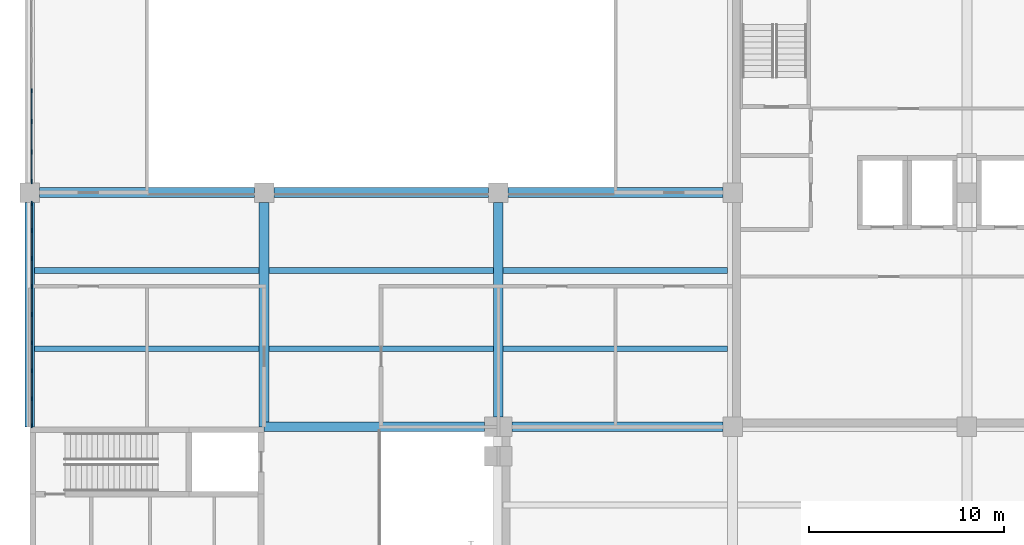
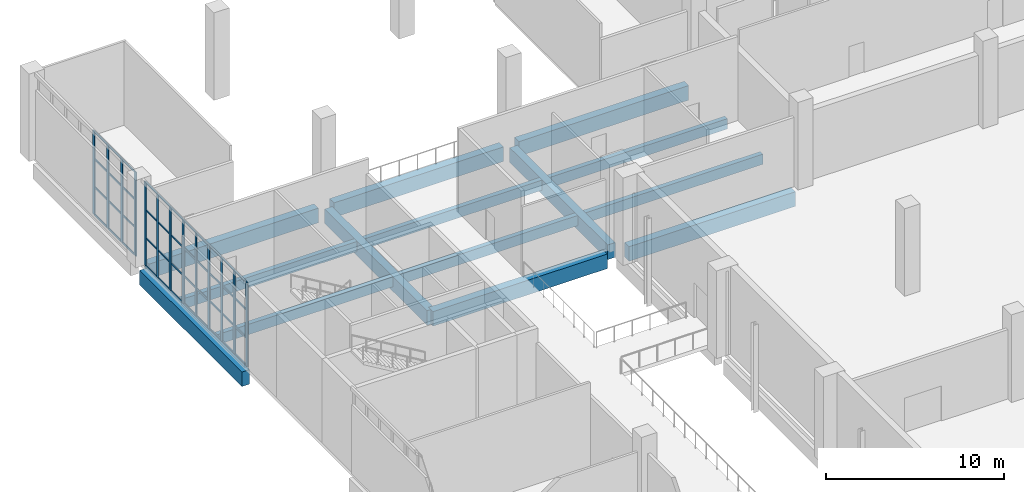
# One storey, part 35 of 72: 57 members, 14 beams, 2 elements without a shape of their own.
"""IFC4 building model written with IfcOpenShell, lengths in metres."""

from ifc_helpers import new_model, si_unit, direction, frame, origin, origin_2d, place, context, subcontext, project, spatial, rectangle, extrude, material, layer, layer_set, material_profile, profile_set, type_object, element, aggregate, save


model = new_model("IFC4")

# Units and contexts
model_context = context("Model", 3, precision=1e-05, world=origin(), true_north=direction((0.0, 1.0)))
body_context = subcontext(model_context, "Body", "Model", "MODEL_VIEW")
ifc_project = project(units=[si_unit("LENGTHUNIT", "METRE"), si_unit("AREAUNIT", "SQUARE_METRE"), si_unit("VOLUMEUNIT", "CUBIC_METRE"), si_unit("PLANEANGLEUNIT", "RADIAN"), si_unit("MASSUNIT", "GRAM", prefix="KILO")], contexts=[model_context])

# Site, building, storey
site_placement = place(None, origin())
site = spatial("IfcSite", under=ifc_project, at=site_placement, CompositionType="ELEMENT")
building_placement = place(site_placement, origin())
building = spatial("IfcBuilding", under=site, at=building_placement, Name="Lilac Gate Convention Centre", CompositionType="ELEMENT")
storey_placement = place(building_placement, frame((0.0, 0.0, 6.0)))
storey = spatial("IfcBuildingStorey", under=building, at=storey_placement, Name="L01", CompositionType="ELEMENT", Elevation=6.0)

# Curtain wall, members
ifc_material_1 = material(Name="Aluminium framed double glazing", Category="aluminium")
ifc_layer = layer(ifc_material_1, 0.199951171875)
ifc_layer_set = layer_set([ifc_layer], Name="Aluminium framed double glazing")
curtain_wall_type = type_object("IfcCurtainWallType", Name="Unitised curtain wall 1500", PredefinedType="NOTDEFINED", material=ifc_layer_set)
curtain_wall_1_placement = place(storey_placement, origin())
curtain_wall_1 = element("IfcCurtainWall", 1, at=curtain_wall_1_placement, inside=storey, type_object=curtain_wall_type, Name="Curtain wall GW L01 1", PredefinedType="NOTDEFINED")
ifc_material_2 = material(Name="Aluminium alloy 6063", Category="aluminium")
ifc_material_profile_1 = material_profile(ifc_material_2, rectangle(XDim=0.06005859375, YDim=0.219970703125, at=origin_2d()), Name="Curtain wall mullion 60 x 220")
ifc_profile_set_1 = profile_set([ifc_material_profile_1], Name="Aluminium alloy 6063")
member_type_1 = type_object("IfcMemberType", Name="Curtain wall mullion 60 x 220", PredefinedType="MULLION", material=ifc_profile_set_1)
member_1_placement = place(storey_placement, frame((6.10009765625, 239.21435546875, 0.0), z_axis=(0.0, 0.0, 1.0), x_axis=(1.0, 0.0, 0.0)))
member_1 = element("IfcMember", 2, at=member_1_placement, type_object=member_type_1, Name="CW mullion 5", PredefinedType="MULLION", context=body_context, shape_type="SweptSolid", body=[
    extrude(rectangle(XDim=0.06005859375, YDim=0.219970703125, at=origin_2d()), origin(), (0.0, 0.0, 1.0), 5.75),
])
member_2_placement = place(storey_placement, frame((6.10009765625, 237.642822265625, 0.0), z_axis=(0.0, 0.0, 1.0), x_axis=(1.0, 0.0, 0.0)))
member_2 = element("IfcMember", 3, at=member_2_placement, type_object=member_type_1, Name="CW mullion 6", PredefinedType="MULLION", context=body_context, shape_type="SweptSolid", body=[
    extrude(rectangle(XDim=0.06005859375, YDim=0.219970703125, at=origin_2d()), origin(), (0.0, 0.0, 1.0), 5.75),
])
member_3_placement = place(storey_placement, frame((6.10009765625, 236.071533203125, 0.0), z_axis=(0.0, 0.0, 1.0), x_axis=(1.0, 0.0, 0.0)))
member_3 = element("IfcMember", 4, at=member_3_placement, type_object=member_type_1, Name="CW mullion 7", PredefinedType="MULLION", context=body_context, shape_type="SweptSolid", body=[
    extrude(rectangle(XDim=0.06005859375, YDim=0.219970703125, at=origin_2d()), origin(), (0.0, 0.0, 1.0), 5.75),
])
member_4_placement = place(storey_placement, frame((6.10009765625, 234.56005859375, 0.0), z_axis=(0.0, 0.0, 1.0), x_axis=(1.0, 0.0, 0.0)))
member_4 = element("IfcMember", 5, at=member_4_placement, type_object=member_type_1, Name="CW mullion 8", PredefinedType="MULLION", context=body_context, shape_type="SweptSolid", body=[
    extrude(rectangle(XDim=0.06005859375, YDim=0.219970703125, at=origin_2d()), origin(), (0.0, 0.0, 1.0), 5.75),
])

curtain_wall_2_placement = place(storey_placement, origin())
curtain_wall_2 = element("IfcCurtainWall", 6, at=curtain_wall_2_placement, inside=storey, type_object=curtain_wall_type, Name="Curtain wall GW L01 2", PredefinedType="NOTDEFINED")
member_5_placement = place(storey_placement, frame((6.10009765625, 233.43994140625, 0.0), z_axis=(0.0, 0.0, 1.0), x_axis=(1.0, 0.0, 0.0)))
member_5 = element("IfcMember", 7, at=member_5_placement, type_object=member_type_1, Name="CW mullion 1", PredefinedType="MULLION", context=body_context, shape_type="SweptSolid", body=[
    extrude(rectangle(XDim=0.06005859375, YDim=0.219970703125, at=origin_2d()), origin(), (0.0, 0.0, 1.0), 5.75),
])
member_6_placement = place(storey_placement, frame((6.10009765625, 232.0625, 0.0), z_axis=(0.0, 0.0, 1.0), x_axis=(1.0, 0.0, 0.0)))
member_6 = element("IfcMember", 8, at=member_6_placement, type_object=member_type_1, Name="CW mullion 2", PredefinedType="MULLION", context=body_context, shape_type="SweptSolid", body=[
    extrude(rectangle(XDim=0.06005859375, YDim=0.219970703125, at=origin_2d()), origin(), (0.0, 0.0, 1.0), 5.75),
])
member_7_placement = place(storey_placement, frame((6.10009765625, 230.625, 0.0), z_axis=(0.0, 0.0, 1.0), x_axis=(1.0, 0.0, 0.0)))
member_7 = element("IfcMember", 9, at=member_7_placement, type_object=member_type_1, Name="CW mullion 3", PredefinedType="MULLION", context=body_context, shape_type="SweptSolid", body=[
    extrude(rectangle(XDim=0.06005859375, YDim=0.219970703125, at=origin_2d()), origin(), (0.0, 0.0, 1.0), 5.75),
])
member_8_placement = place(storey_placement, frame((6.10009765625, 229.1875, 0.0), z_axis=(0.0, 0.0, 1.0), x_axis=(1.0, 0.0, 0.0)))
member_8 = element("IfcMember", 10, at=member_8_placement, type_object=member_type_1, Name="CW mullion 4", PredefinedType="MULLION", context=body_context, shape_type="SweptSolid", body=[
    extrude(rectangle(XDim=0.06005859375, YDim=0.219970703125, at=origin_2d()), origin(), (0.0, 0.0, 1.0), 5.75),
])
member_9_placement = place(storey_placement, frame((6.10009765625, 227.75, 0.0), z_axis=(0.0, 0.0, 1.0), x_axis=(1.0, 0.0, 0.0)))
member_9 = element("IfcMember", 11, at=member_9_placement, type_object=member_type_1, Name="CW mullion 5", PredefinedType="MULLION", context=body_context, shape_type="SweptSolid", body=[
    extrude(rectangle(XDim=0.06005859375, YDim=0.219970703125, at=origin_2d()), origin(), (0.0, 0.0, 1.0), 5.75),
])
member_10_placement = place(storey_placement, frame((6.10009765625, 226.3125, 0.0), z_axis=(0.0, 0.0, 1.0), x_axis=(1.0, 0.0, 0.0)))
member_10 = element("IfcMember", 12, at=member_10_placement, type_object=member_type_1, Name="CW mullion 6", PredefinedType="MULLION", context=body_context, shape_type="SweptSolid", body=[
    extrude(rectangle(XDim=0.06005859375, YDim=0.219970703125, at=origin_2d()), origin(), (0.0, 0.0, 1.0), 5.75),
])
member_11_placement = place(storey_placement, frame((6.10009765625, 224.875, 0.0), z_axis=(0.0, 0.0, 1.0), x_axis=(1.0, 0.0, 0.0)))
member_11 = element("IfcMember", 13, at=member_11_placement, type_object=member_type_1, Name="CW mullion 7", PredefinedType="MULLION", context=body_context, shape_type="SweptSolid", body=[
    extrude(rectangle(XDim=0.06005859375, YDim=0.219970703125, at=origin_2d()), origin(), (0.0, 0.0, 1.0), 5.75),
])
member_12_placement = place(storey_placement, frame((6.10009765625, 223.4375, 0.0), z_axis=(0.0, 0.0, 1.0), x_axis=(1.0, 0.0, 0.0)))
member_12 = element("IfcMember", 14, at=member_12_placement, type_object=member_type_1, Name="CW mullion 8", PredefinedType="MULLION", context=body_context, shape_type="SweptSolid", body=[
    extrude(rectangle(XDim=0.06005859375, YDim=0.219970703125, at=origin_2d()), origin(), (0.0, 0.0, 1.0), 5.75),
])
member_13_placement = place(storey_placement, frame((6.10009765625, 222.06005859375, 0.0), z_axis=(0.0, 0.0, 1.0), x_axis=(1.0, 0.0, 0.0)))
member_13 = element("IfcMember", 15, at=member_13_placement, type_object=member_type_1, Name="CW mullion 9", PredefinedType="MULLION", context=body_context, shape_type="SweptSolid", body=[
    extrude(rectangle(XDim=0.06005859375, YDim=0.219970703125, at=origin_2d()), origin(), (0.0, 0.0, 1.0), 5.75),
])

# Member
ifc_material_profile_2 = material_profile(ifc_material_2, rectangle(XDim=0.06005859375, YDim=0.1201171875, at=origin_2d()), Name="Curtain wall transom 60 x 120")
ifc_profile_set_2 = profile_set([ifc_material_profile_2], Name="Aluminium alloy 6063")
member_type_2 = type_object("IfcMemberType", Name="Curtain wall transom 60 x 120", PredefinedType="USERDEFINED", material=ifc_profile_set_2)
member_14_placement = place(storey_placement, frame((6.10009765625, 239.184326171875, 0.030029296875), z_axis=(0.0, -1.0, 0.0), x_axis=(1.0, 0.0, 0.0)))
member_14 = element("IfcMember", 16, at=member_14_placement, type_object=member_type_2, Name="CW transom 5.1", ObjectType="TRANSOM", PredefinedType="USERDEFINED", context=body_context, shape_type="SweptSolid", body=[
    extrude(rectangle(XDim=0.06005859375, YDim=0.1201171875, at=origin_2d()), origin(), (0.0, 0.0, 1.0), 1.511474609375),
])

member_15_placement = place(storey_placement, frame((6.10009765625, 239.184326171875, 1.916748046875), z_axis=(0.0, -1.0, 0.0), x_axis=(1.0, 0.0, 0.0)))
member_15 = element("IfcMember", 17, at=member_15_placement, type_object=member_type_2, Name="CW transom 5.2", ObjectType="TRANSOM", PredefinedType="USERDEFINED", context=body_context, shape_type="SweptSolid", body=[
    extrude(rectangle(XDim=0.06005859375, YDim=0.1201171875, at=origin_2d()), origin(), (0.0, 0.0, 1.0), 1.511474609375),
])

member_16_placement = place(storey_placement, frame((6.10009765625, 239.184326171875, 3.833251953125), z_axis=(0.0, -1.0, 0.0), x_axis=(1.0, 0.0, 0.0)))
member_16 = element("IfcMember", 18, at=member_16_placement, type_object=member_type_2, Name="CW transom 5.3", ObjectType="TRANSOM", PredefinedType="USERDEFINED", context=body_context, shape_type="SweptSolid", body=[
    extrude(rectangle(XDim=0.06005859375, YDim=0.1201171875, at=origin_2d()), origin(), (0.0, 0.0, 1.0), 1.511474609375),
])

member_17_placement = place(storey_placement, frame((6.10009765625, 239.184326171875, 5.719970703125), z_axis=(0.0, -1.0, 0.0), x_axis=(1.0, 0.0, 0.0)))
member_17 = element("IfcMember", 19, at=member_17_placement, type_object=member_type_2, Name="CW transom 5.4", ObjectType="TRANSOM", PredefinedType="USERDEFINED", context=body_context, shape_type="SweptSolid", body=[
    extrude(rectangle(XDim=0.06005859375, YDim=0.1201171875, at=origin_2d()), origin(), (0.0, 0.0, 1.0), 1.511474609375),
])

member_18_placement = place(storey_placement, frame((6.10009765625, 237.61279296875, 0.030029296875), z_axis=(0.0, -1.0, 0.0), x_axis=(1.0, 0.0, 0.0)))
member_18 = element("IfcMember", 20, at=member_18_placement, type_object=member_type_2, Name="CW transom 6.1", ObjectType="TRANSOM", PredefinedType="USERDEFINED", context=body_context, shape_type="SweptSolid", body=[
    extrude(rectangle(XDim=0.06005859375, YDim=0.1201171875, at=origin_2d()), origin(), (0.0, 0.0, 1.0), 1.511474609375),
])

member_19_placement = place(storey_placement, frame((6.10009765625, 237.61279296875, 1.916748046875), z_axis=(0.0, -1.0, 0.0), x_axis=(1.0, 0.0, 0.0)))
member_19 = element("IfcMember", 21, at=member_19_placement, type_object=member_type_2, Name="CW transom 6.2", ObjectType="TRANSOM", PredefinedType="USERDEFINED", context=body_context, shape_type="SweptSolid", body=[
    extrude(rectangle(XDim=0.06005859375, YDim=0.1201171875, at=origin_2d()), origin(), (0.0, 0.0, 1.0), 1.511474609375),
])

member_20_placement = place(storey_placement, frame((6.10009765625, 237.61279296875, 3.833251953125), z_axis=(0.0, -1.0, 0.0), x_axis=(1.0, 0.0, 0.0)))
member_20 = element("IfcMember", 22, at=member_20_placement, type_object=member_type_2, Name="CW transom 6.3", ObjectType="TRANSOM", PredefinedType="USERDEFINED", context=body_context, shape_type="SweptSolid", body=[
    extrude(rectangle(XDim=0.06005859375, YDim=0.1201171875, at=origin_2d()), origin(), (0.0, 0.0, 1.0), 1.511474609375),
])

member_21_placement = place(storey_placement, frame((6.10009765625, 237.61279296875, 5.719970703125), z_axis=(0.0, -1.0, 0.0), x_axis=(1.0, 0.0, 0.0)))
member_21 = element("IfcMember", 23, at=member_21_placement, type_object=member_type_2, Name="CW transom 6.4", ObjectType="TRANSOM", PredefinedType="USERDEFINED", context=body_context, shape_type="SweptSolid", body=[
    extrude(rectangle(XDim=0.06005859375, YDim=0.1201171875, at=origin_2d()), origin(), (0.0, 0.0, 1.0), 1.511474609375),
])

member_22_placement = place(storey_placement, frame((6.10009765625, 236.04150390625, 0.030029296875), z_axis=(0.0, -1.0, 0.0), x_axis=(1.0, 0.0, 0.0)))
member_22 = element("IfcMember", 24, at=member_22_placement, type_object=member_type_2, Name="CW transom 7.1", ObjectType="TRANSOM", PredefinedType="USERDEFINED", context=body_context, shape_type="SweptSolid", body=[
    extrude(rectangle(XDim=0.06005859375, YDim=0.1201171875, at=origin_2d()), origin(), (0.0, 0.0, 1.0), 1.4814453125),
])

member_23_placement = place(storey_placement, frame((6.10009765625, 236.04150390625, 1.916748046875), z_axis=(0.0, -1.0, 0.0), x_axis=(1.0, 0.0, 0.0)))
member_23 = element("IfcMember", 25, at=member_23_placement, type_object=member_type_2, Name="CW transom 7.2", ObjectType="TRANSOM", PredefinedType="USERDEFINED", context=body_context, shape_type="SweptSolid", body=[
    extrude(rectangle(XDim=0.06005859375, YDim=0.1201171875, at=origin_2d()), origin(), (0.0, 0.0, 1.0), 1.4814453125),
])

member_24_placement = place(storey_placement, frame((6.10009765625, 236.04150390625, 3.833251953125), z_axis=(0.0, -1.0, 0.0), x_axis=(1.0, 0.0, 0.0)))
member_24 = element("IfcMember", 26, at=member_24_placement, type_object=member_type_2, Name="CW transom 7.3", ObjectType="TRANSOM", PredefinedType="USERDEFINED", context=body_context, shape_type="SweptSolid", body=[
    extrude(rectangle(XDim=0.06005859375, YDim=0.1201171875, at=origin_2d()), origin(), (0.0, 0.0, 1.0), 1.4814453125),
])

member_25_placement = place(storey_placement, frame((6.10009765625, 236.04150390625, 5.719970703125), z_axis=(0.0, -1.0, 0.0), x_axis=(1.0, 0.0, 0.0)))
member_25 = element("IfcMember", 27, at=member_25_placement, type_object=member_type_2, Name="CW transom 7.4", ObjectType="TRANSOM", PredefinedType="USERDEFINED", context=body_context, shape_type="SweptSolid", body=[
    extrude(rectangle(XDim=0.06005859375, YDim=0.1201171875, at=origin_2d()), origin(), (0.0, 0.0, 1.0), 1.4814453125),
])

aggregate(curtain_wall_1, [member_1, member_2, member_3, member_4, member_14, member_15, member_16, member_17, member_18, member_19, member_20, member_21, member_22, member_23, member_24, member_25])

member_26_placement = place(storey_placement, frame((6.10009765625, 233.43994140625, 0.030029296875), z_axis=(0.0, -1.0, 0.0), x_axis=(1.0, 0.0, 0.0)))
member_26 = element("IfcMember", 28, at=member_26_placement, type_object=member_type_2, Name="CW transom 1.1", ObjectType="TRANSOM", PredefinedType="USERDEFINED", context=body_context, shape_type="SweptSolid", body=[
    extrude(rectangle(XDim=0.06005859375, YDim=0.1201171875, at=origin_2d()), origin(), (0.0, 0.0, 1.0), 1.347412109375),
])

member_27_placement = place(storey_placement, frame((6.10009765625, 233.43994140625, 1.916748046875), z_axis=(0.0, -1.0, 0.0), x_axis=(1.0, 0.0, 0.0)))
member_27 = element("IfcMember", 29, at=member_27_placement, type_object=member_type_2, Name="CW transom 1.2", ObjectType="TRANSOM", PredefinedType="USERDEFINED", context=body_context, shape_type="SweptSolid", body=[
    extrude(rectangle(XDim=0.06005859375, YDim=0.1201171875, at=origin_2d()), origin(), (0.0, 0.0, 1.0), 1.347412109375),
])

member_28_placement = place(storey_placement, frame((6.10009765625, 233.43994140625, 3.833251953125), z_axis=(0.0, -1.0, 0.0), x_axis=(1.0, 0.0, 0.0)))
member_28 = element("IfcMember", 30, at=member_28_placement, type_object=member_type_2, Name="CW transom 1.3", ObjectType="TRANSOM", PredefinedType="USERDEFINED", context=body_context, shape_type="SweptSolid", body=[
    extrude(rectangle(XDim=0.06005859375, YDim=0.1201171875, at=origin_2d()), origin(), (0.0, 0.0, 1.0), 1.347412109375),
])

member_29_placement = place(storey_placement, frame((6.10009765625, 233.43994140625, 5.719970703125), z_axis=(0.0, -1.0, 0.0), x_axis=(1.0, 0.0, 0.0)))
member_29 = element("IfcMember", 31, at=member_29_placement, type_object=member_type_2, Name="CW transom 1.4", ObjectType="TRANSOM", PredefinedType="USERDEFINED", context=body_context, shape_type="SweptSolid", body=[
    extrude(rectangle(XDim=0.06005859375, YDim=0.1201171875, at=origin_2d()), origin(), (0.0, 0.0, 1.0), 1.347412109375),
])

member_30_placement = place(storey_placement, frame((6.10009765625, 232.032470703125, 0.030029296875), z_axis=(0.0, -1.0, 0.0), x_axis=(1.0, 0.0, 0.0)))
member_30 = element("IfcMember", 32, at=member_30_placement, type_object=member_type_2, Name="CW transom 2.1", ObjectType="TRANSOM", PredefinedType="USERDEFINED", context=body_context, shape_type="SweptSolid", body=[
    extrude(rectangle(XDim=0.06005859375, YDim=0.1201171875, at=origin_2d()), origin(), (0.0, 0.0, 1.0), 1.37744140625),
])

member_31_placement = place(storey_placement, frame((6.10009765625, 232.032470703125, 1.916748046875), z_axis=(0.0, -1.0, 0.0), x_axis=(1.0, 0.0, 0.0)))
member_31 = element("IfcMember", 33, at=member_31_placement, type_object=member_type_2, Name="CW transom 2.2", ObjectType="TRANSOM", PredefinedType="USERDEFINED", context=body_context, shape_type="SweptSolid", body=[
    extrude(rectangle(XDim=0.06005859375, YDim=0.1201171875, at=origin_2d()), origin(), (0.0, 0.0, 1.0), 1.37744140625),
])

member_32_placement = place(storey_placement, frame((6.10009765625, 232.032470703125, 3.833251953125), z_axis=(0.0, -1.0, 0.0), x_axis=(1.0, 0.0, 0.0)))
member_32 = element("IfcMember", 34, at=member_32_placement, type_object=member_type_2, Name="CW transom 2.3", ObjectType="TRANSOM", PredefinedType="USERDEFINED", context=body_context, shape_type="SweptSolid", body=[
    extrude(rectangle(XDim=0.06005859375, YDim=0.1201171875, at=origin_2d()), origin(), (0.0, 0.0, 1.0), 1.37744140625),
])

member_33_placement = place(storey_placement, frame((6.10009765625, 232.032470703125, 5.719970703125), z_axis=(0.0, -1.0, 0.0), x_axis=(1.0, 0.0, 0.0)))
member_33 = element("IfcMember", 35, at=member_33_placement, type_object=member_type_2, Name="CW transom 2.4", ObjectType="TRANSOM", PredefinedType="USERDEFINED", context=body_context, shape_type="SweptSolid", body=[
    extrude(rectangle(XDim=0.06005859375, YDim=0.1201171875, at=origin_2d()), origin(), (0.0, 0.0, 1.0), 1.37744140625),
])

member_34_placement = place(storey_placement, frame((6.10009765625, 230.594970703125, 0.030029296875), z_axis=(0.0, -1.0, 0.0), x_axis=(1.0, 0.0, 0.0)))
member_34 = element("IfcMember", 36, at=member_34_placement, type_object=member_type_2, Name="CW transom 3.1", ObjectType="TRANSOM", PredefinedType="USERDEFINED", context=body_context, shape_type="SweptSolid", body=[
    extrude(rectangle(XDim=0.06005859375, YDim=0.1201171875, at=origin_2d()), origin(), (0.0, 0.0, 1.0), 1.37744140625),
])

member_35_placement = place(storey_placement, frame((6.10009765625, 230.594970703125, 1.916748046875), z_axis=(0.0, -1.0, 0.0), x_axis=(1.0, 0.0, 0.0)))
member_35 = element("IfcMember", 37, at=member_35_placement, type_object=member_type_2, Name="CW transom 3.2", ObjectType="TRANSOM", PredefinedType="USERDEFINED", context=body_context, shape_type="SweptSolid", body=[
    extrude(rectangle(XDim=0.06005859375, YDim=0.1201171875, at=origin_2d()), origin(), (0.0, 0.0, 1.0), 1.37744140625),
])

member_36_placement = place(storey_placement, frame((6.10009765625, 230.594970703125, 3.833251953125), z_axis=(0.0, -1.0, 0.0), x_axis=(1.0, 0.0, 0.0)))
member_36 = element("IfcMember", 38, at=member_36_placement, type_object=member_type_2, Name="CW transom 3.3", ObjectType="TRANSOM", PredefinedType="USERDEFINED", context=body_context, shape_type="SweptSolid", body=[
    extrude(rectangle(XDim=0.06005859375, YDim=0.1201171875, at=origin_2d()), origin(), (0.0, 0.0, 1.0), 1.37744140625),
])

member_37_placement = place(storey_placement, frame((6.10009765625, 230.594970703125, 5.719970703125), z_axis=(0.0, -1.0, 0.0), x_axis=(1.0, 0.0, 0.0)))
member_37 = element("IfcMember", 39, at=member_37_placement, type_object=member_type_2, Name="CW transom 3.4", ObjectType="TRANSOM", PredefinedType="USERDEFINED", context=body_context, shape_type="SweptSolid", body=[
    extrude(rectangle(XDim=0.06005859375, YDim=0.1201171875, at=origin_2d()), origin(), (0.0, 0.0, 1.0), 1.37744140625),
])

member_38_placement = place(storey_placement, frame((6.10009765625, 229.157470703125, 0.030029296875), z_axis=(0.0, -1.0, 0.0), x_axis=(1.0, 0.0, 0.0)))
member_38 = element("IfcMember", 40, at=member_38_placement, type_object=member_type_2, Name="CW transom 4.1", ObjectType="TRANSOM", PredefinedType="USERDEFINED", context=body_context, shape_type="SweptSolid", body=[
    extrude(rectangle(XDim=0.06005859375, YDim=0.1201171875, at=origin_2d()), origin(), (0.0, 0.0, 1.0), 1.37744140625),
])

member_39_placement = place(storey_placement, frame((6.10009765625, 229.157470703125, 1.916748046875), z_axis=(0.0, -1.0, 0.0), x_axis=(1.0, 0.0, 0.0)))
member_39 = element("IfcMember", 41, at=member_39_placement, type_object=member_type_2, Name="CW transom 4.2", ObjectType="TRANSOM", PredefinedType="USERDEFINED", context=body_context, shape_type="SweptSolid", body=[
    extrude(rectangle(XDim=0.06005859375, YDim=0.1201171875, at=origin_2d()), origin(), (0.0, 0.0, 1.0), 1.37744140625),
])

member_40_placement = place(storey_placement, frame((6.10009765625, 229.157470703125, 3.833251953125), z_axis=(0.0, -1.0, 0.0), x_axis=(1.0, 0.0, 0.0)))
member_40 = element("IfcMember", 42, at=member_40_placement, type_object=member_type_2, Name="CW transom 4.3", ObjectType="TRANSOM", PredefinedType="USERDEFINED", context=body_context, shape_type="SweptSolid", body=[
    extrude(rectangle(XDim=0.06005859375, YDim=0.1201171875, at=origin_2d()), origin(), (0.0, 0.0, 1.0), 1.37744140625),
])

member_41_placement = place(storey_placement, frame((6.10009765625, 229.157470703125, 5.719970703125), z_axis=(0.0, -1.0, 0.0), x_axis=(1.0, 0.0, 0.0)))
member_41 = element("IfcMember", 43, at=member_41_placement, type_object=member_type_2, Name="CW transom 4.4", ObjectType="TRANSOM", PredefinedType="USERDEFINED", context=body_context, shape_type="SweptSolid", body=[
    extrude(rectangle(XDim=0.06005859375, YDim=0.1201171875, at=origin_2d()), origin(), (0.0, 0.0, 1.0), 1.37744140625),
])

member_42_placement = place(storey_placement, frame((6.10009765625, 227.719970703125, 0.030029296875), z_axis=(0.0, -1.0, 0.0), x_axis=(1.0, 0.0, 0.0)))
member_42 = element("IfcMember", 44, at=member_42_placement, type_object=member_type_2, Name="CW transom 5.1", ObjectType="TRANSOM", PredefinedType="USERDEFINED", context=body_context, shape_type="SweptSolid", body=[
    extrude(rectangle(XDim=0.06005859375, YDim=0.1201171875, at=origin_2d()), origin(), (0.0, 0.0, 1.0), 1.37744140625),
])

member_43_placement = place(storey_placement, frame((6.10009765625, 227.719970703125, 1.916748046875), z_axis=(0.0, -1.0, 0.0), x_axis=(1.0, 0.0, 0.0)))
member_43 = element("IfcMember", 45, at=member_43_placement, type_object=member_type_2, Name="CW transom 5.2", ObjectType="TRANSOM", PredefinedType="USERDEFINED", context=body_context, shape_type="SweptSolid", body=[
    extrude(rectangle(XDim=0.06005859375, YDim=0.1201171875, at=origin_2d()), origin(), (0.0, 0.0, 1.0), 1.37744140625),
])

member_44_placement = place(storey_placement, frame((6.10009765625, 227.719970703125, 3.833251953125), z_axis=(0.0, -1.0, 0.0), x_axis=(1.0, 0.0, 0.0)))
member_44 = element("IfcMember", 46, at=member_44_placement, type_object=member_type_2, Name="CW transom 5.3", ObjectType="TRANSOM", PredefinedType="USERDEFINED", context=body_context, shape_type="SweptSolid", body=[
    extrude(rectangle(XDim=0.06005859375, YDim=0.1201171875, at=origin_2d()), origin(), (0.0, 0.0, 1.0), 1.37744140625),
])

member_45_placement = place(storey_placement, frame((6.10009765625, 227.719970703125, 5.719970703125), z_axis=(0.0, -1.0, 0.0), x_axis=(1.0, 0.0, 0.0)))
member_45 = element("IfcMember", 47, at=member_45_placement, type_object=member_type_2, Name="CW transom 5.4", ObjectType="TRANSOM", PredefinedType="USERDEFINED", context=body_context, shape_type="SweptSolid", body=[
    extrude(rectangle(XDim=0.06005859375, YDim=0.1201171875, at=origin_2d()), origin(), (0.0, 0.0, 1.0), 1.37744140625),
])

member_46_placement = place(storey_placement, frame((6.10009765625, 226.282470703125, 0.030029296875), z_axis=(0.0, -1.0, 0.0), x_axis=(1.0, 0.0, 0.0)))
member_46 = element("IfcMember", 48, at=member_46_placement, type_object=member_type_2, Name="CW transom 6.1", ObjectType="TRANSOM", PredefinedType="USERDEFINED", context=body_context, shape_type="SweptSolid", body=[
    extrude(rectangle(XDim=0.06005859375, YDim=0.1201171875, at=origin_2d()), origin(), (0.0, 0.0, 1.0), 1.37744140625),
])

member_47_placement = place(storey_placement, frame((6.10009765625, 226.282470703125, 1.916748046875), z_axis=(0.0, -1.0, 0.0), x_axis=(1.0, 0.0, 0.0)))
member_47 = element("IfcMember", 49, at=member_47_placement, type_object=member_type_2, Name="CW transom 6.2", ObjectType="TRANSOM", PredefinedType="USERDEFINED", context=body_context, shape_type="SweptSolid", body=[
    extrude(rectangle(XDim=0.06005859375, YDim=0.1201171875, at=origin_2d()), origin(), (0.0, 0.0, 1.0), 1.37744140625),
])

member_48_placement = place(storey_placement, frame((6.10009765625, 226.282470703125, 3.833251953125), z_axis=(0.0, -1.0, 0.0), x_axis=(1.0, 0.0, 0.0)))
member_48 = element("IfcMember", 50, at=member_48_placement, type_object=member_type_2, Name="CW transom 6.3", ObjectType="TRANSOM", PredefinedType="USERDEFINED", context=body_context, shape_type="SweptSolid", body=[
    extrude(rectangle(XDim=0.06005859375, YDim=0.1201171875, at=origin_2d()), origin(), (0.0, 0.0, 1.0), 1.37744140625),
])

member_49_placement = place(storey_placement, frame((6.10009765625, 226.282470703125, 5.719970703125), z_axis=(0.0, -1.0, 0.0), x_axis=(1.0, 0.0, 0.0)))
member_49 = element("IfcMember", 51, at=member_49_placement, type_object=member_type_2, Name="CW transom 6.4", ObjectType="TRANSOM", PredefinedType="USERDEFINED", context=body_context, shape_type="SweptSolid", body=[
    extrude(rectangle(XDim=0.06005859375, YDim=0.1201171875, at=origin_2d()), origin(), (0.0, 0.0, 1.0), 1.37744140625),
])

member_50_placement = place(storey_placement, frame((6.10009765625, 224.844970703125, 0.030029296875), z_axis=(0.0, -1.0, 0.0), x_axis=(1.0, 0.0, 0.0)))
member_50 = element("IfcMember", 52, at=member_50_placement, type_object=member_type_2, Name="CW transom 7.1", ObjectType="TRANSOM", PredefinedType="USERDEFINED", context=body_context, shape_type="SweptSolid", body=[
    extrude(rectangle(XDim=0.06005859375, YDim=0.1201171875, at=origin_2d()), origin(), (0.0, 0.0, 1.0), 1.37744140625),
])

member_51_placement = place(storey_placement, frame((6.10009765625, 224.844970703125, 1.916748046875), z_axis=(0.0, -1.0, 0.0), x_axis=(1.0, 0.0, 0.0)))
member_51 = element("IfcMember", 53, at=member_51_placement, type_object=member_type_2, Name="CW transom 7.2", ObjectType="TRANSOM", PredefinedType="USERDEFINED", context=body_context, shape_type="SweptSolid", body=[
    extrude(rectangle(XDim=0.06005859375, YDim=0.1201171875, at=origin_2d()), origin(), (0.0, 0.0, 1.0), 1.37744140625),
])

member_52_placement = place(storey_placement, frame((6.10009765625, 224.844970703125, 3.833251953125), z_axis=(0.0, -1.0, 0.0), x_axis=(1.0, 0.0, 0.0)))
member_52 = element("IfcMember", 54, at=member_52_placement, type_object=member_type_2, Name="CW transom 7.3", ObjectType="TRANSOM", PredefinedType="USERDEFINED", context=body_context, shape_type="SweptSolid", body=[
    extrude(rectangle(XDim=0.06005859375, YDim=0.1201171875, at=origin_2d()), origin(), (0.0, 0.0, 1.0), 1.37744140625),
])

member_53_placement = place(storey_placement, frame((6.10009765625, 224.844970703125, 5.719970703125), z_axis=(0.0, -1.0, 0.0), x_axis=(1.0, 0.0, 0.0)))
member_53 = element("IfcMember", 55, at=member_53_placement, type_object=member_type_2, Name="CW transom 7.4", ObjectType="TRANSOM", PredefinedType="USERDEFINED", context=body_context, shape_type="SweptSolid", body=[
    extrude(rectangle(XDim=0.06005859375, YDim=0.1201171875, at=origin_2d()), origin(), (0.0, 0.0, 1.0), 1.37744140625),
])

member_54_placement = place(storey_placement, frame((6.10009765625, 223.407470703125, 0.030029296875), z_axis=(0.0, -1.0, 0.0), x_axis=(1.0, 0.0, 0.0)))
member_54 = element("IfcMember", 56, at=member_54_placement, type_object=member_type_2, Name="CW transom 8.1", ObjectType="TRANSOM", PredefinedType="USERDEFINED", context=body_context, shape_type="SweptSolid", body=[
    extrude(rectangle(XDim=0.06005859375, YDim=0.1201171875, at=origin_2d()), origin(), (0.0, 0.0, 1.0), 1.347412109375),
])

member_55_placement = place(storey_placement, frame((6.10009765625, 223.407470703125, 1.916748046875), z_axis=(0.0, -1.0, 0.0), x_axis=(1.0, 0.0, 0.0)))
member_55 = element("IfcMember", 57, at=member_55_placement, type_object=member_type_2, Name="CW transom 8.2", ObjectType="TRANSOM", PredefinedType="USERDEFINED", context=body_context, shape_type="SweptSolid", body=[
    extrude(rectangle(XDim=0.06005859375, YDim=0.1201171875, at=origin_2d()), origin(), (0.0, 0.0, 1.0), 1.347412109375),
])

member_56_placement = place(storey_placement, frame((6.10009765625, 223.407470703125, 3.833251953125), z_axis=(0.0, -1.0, 0.0), x_axis=(1.0, 0.0, 0.0)))
member_56 = element("IfcMember", 58, at=member_56_placement, type_object=member_type_2, Name="CW transom 8.3", ObjectType="TRANSOM", PredefinedType="USERDEFINED", context=body_context, shape_type="SweptSolid", body=[
    extrude(rectangle(XDim=0.06005859375, YDim=0.1201171875, at=origin_2d()), origin(), (0.0, 0.0, 1.0), 1.347412109375),
])

member_57_placement = place(storey_placement, frame((6.10009765625, 223.407470703125, 5.719970703125), z_axis=(0.0, -1.0, 0.0), x_axis=(1.0, 0.0, 0.0)))
member_57 = element("IfcMember", 59, at=member_57_placement, type_object=member_type_2, Name="CW transom 8.4", ObjectType="TRANSOM", PredefinedType="USERDEFINED", context=body_context, shape_type="SweptSolid", body=[
    extrude(rectangle(XDim=0.06005859375, YDim=0.1201171875, at=origin_2d()), origin(), (0.0, 0.0, 1.0), 1.347412109375),
])

aggregate(curtain_wall_2, [member_5, member_6, member_7, member_8, member_9, member_10, member_11, member_12, member_13, member_26, member_27, member_28, member_29, member_30, member_31, member_32, member_33, member_34, member_35, member_36, member_37, member_38, member_39, member_40, member_41, member_42, member_43, member_44, member_45, member_46, member_47, member_48, member_49, member_50, member_51, member_52, member_53, member_54, member_55, member_56, member_57])

# Beams
ifc_material_3 = material(Name="Concrete C40", Category="concrete")
ifc_material_profile_3 = material_profile(ifc_material_3, rectangle(XDim=0.5, YDim=1.0, at=origin_2d()), Name="RC 500x1000")
ifc_profile_set_3 = profile_set([ifc_material_profile_3], Name="Concrete C40")
beam_type_1 = type_object("IfcBeamType", Name="Primary beam 500x1000 C40", PredefinedType="BEAM", material=ifc_profile_set_3)
beam_1_placement = place(storey_placement, frame((18.0, 222.0, -0.75), z_axis=(1.0, 0.0, 0.0), x_axis=(0.0, 1.0, 0.0)))
element("IfcBeam", 60, at=beam_1_placement, inside=storey, type_object=beam_type_1, Name="RB1 L01 2/S-3/S", PredefinedType="BEAM", context=body_context, shape_type="SweptSolid", body=[
    extrude(rectangle(XDim=0.5, YDim=1.0, at=origin_2d()), origin(), (0.0, 0.0, 1.0), 11.300048828125),
])
beam_2_placement = place(storey_placement, frame((30.699951171875, 222.0, -0.75), z_axis=(1.0, 0.0, 0.0), x_axis=(0.0, 1.0, 0.0)))
element("IfcBeam", 61, at=beam_2_placement, inside=storey, type_object=beam_type_1, Name="RB1 L01 3/S-4/S", PredefinedType="BEAM", context=body_context, shape_type="SweptSolid", body=[
    extrude(rectangle(XDim=0.5, YDim=1.0, at=origin_2d()), origin(), (0.0, 0.0, 1.0), 10.800048828125),
])
for number, where, z_axis, x_axis, name in (
    (62, (6.5, 234.0, -0.75), (1.0, 0.0, 0.0), (0.0, 1.0, 0.0), "RB1 L01 1/T-2/T"),
    (63, (18.5, 234.0, -0.75), (1.0, 0.0, 0.0), (0.0, 1.0, 0.0), "RB1 L01 2/T-3/T"),
    (64, (30.5, 234.0, -0.75), (1.0, 0.0, 0.0), (0.0, 1.0, 0.0), "RB1 L01 3/T-4/T"),
):
    element("IfcBeam", number, at=place(storey_placement, frame(where, z_axis=z_axis, x_axis=x_axis)), inside=storey, type_object=beam_type_1, Name=name, PredefinedType="BEAM", context=body_context, shape_type="SweptSolid", body=[
        extrude(rectangle(XDim=0.5, YDim=1.0, at=origin_2d()), origin(), (0.0, 0.0, 1.0), 11.0),
    ])
for number, where, z_axis, x_axis, name in (
    (65, (6.0, 222.0, -0.75), (0.0, 1.0, 0.0), (-1.0, 0.0, 0.0), "RB1 L01 1/S-1/T"),
    (66, (18.0, 222.0, -0.75), (0.0, 1.0, 0.0), (-1.0, 0.0, 0.0), "RB1 L01 2/S-2/T"),
):
    element("IfcBeam", number, at=place(storey_placement, frame(where, z_axis=z_axis, x_axis=x_axis)), inside=storey, type_object=beam_type_1, Name=name, PredefinedType="BEAM", context=body_context, shape_type="SweptSolid", body=[
        extrude(rectangle(XDim=0.5, YDim=1.0, at=origin_2d()), origin(), (0.0, 0.0, 1.0), 11.5),
    ])
beam_3_placement = place(storey_placement, frame((30.0, 222.5, -0.75), z_axis=(0.0, 1.0, 0.0), x_axis=(-1.0, 0.0, 0.0)))
element("IfcBeam", 67, at=beam_3_placement, inside=storey, type_object=beam_type_1, Name="RB1 L01 3/S-3/T", PredefinedType="BEAM", context=body_context, shape_type="SweptSolid", body=[
    extrude(rectangle(XDim=0.5, YDim=1.0, at=origin_2d()), origin(), (0.0, 0.0, 1.0), 11.0),
])
ifc_material_profile_4 = material_profile(ifc_material_3, rectangle(XDim=0.300048828125, YDim=0.699951171875, at=origin_2d()), Name="RC 300x700")
ifc_profile_set_4 = profile_set([ifc_material_profile_4], Name="Concrete C40")
beam_type_2 = type_object("IfcBeamType", Name="Secondary beam 300x700 C40", PredefinedType="BEAM", material=ifc_profile_set_4)
for number, where, z_axis, x_axis, name in (
    (68, (6.25, 226.0, -0.60009765625), (1.0, 0.0, 0.0), (0.0, 1.0, 0.0), "RB2 L01 bay 1/S"),
    (69, (6.25, 230.0, -0.60009765625), (1.0, 0.0, 0.0), (0.0, 1.0, 0.0), "RB2 L01 bay 1/S"),
    (70, (18.25, 226.0, -0.60009765625), (1.0, 0.0, 0.0), (0.0, 1.0, 0.0), "RB2 L01 bay 2/S"),
    (71, (18.25, 230.0, -0.60009765625), (1.0, 0.0, 0.0), (0.0, 1.0, 0.0), "RB2 L01 bay 2/S"),
    (72, (30.25, 226.0, -0.60009765625), (1.0, 0.0, 0.0), (0.0, 1.0, 0.0), "RB2 L01 bay 3/S"),
    (73, (30.25, 230.0, -0.60009765625), (1.0, 0.0, 0.0), (0.0, 1.0, 0.0), "RB2 L01 bay 3/S"),
):
    element("IfcBeam", number, at=place(storey_placement, frame(where, z_axis=z_axis, x_axis=x_axis)), inside=storey, type_object=beam_type_2, Name=name, PredefinedType="BEAM", context=body_context, shape_type="SweptSolid", body=[
        extrude(rectangle(XDim=0.300048828125, YDim=0.699951171875, at=origin_2d()), origin(), (0.0, 0.0, 1.0), 11.5),
    ])

save(model, "model.ifc")
